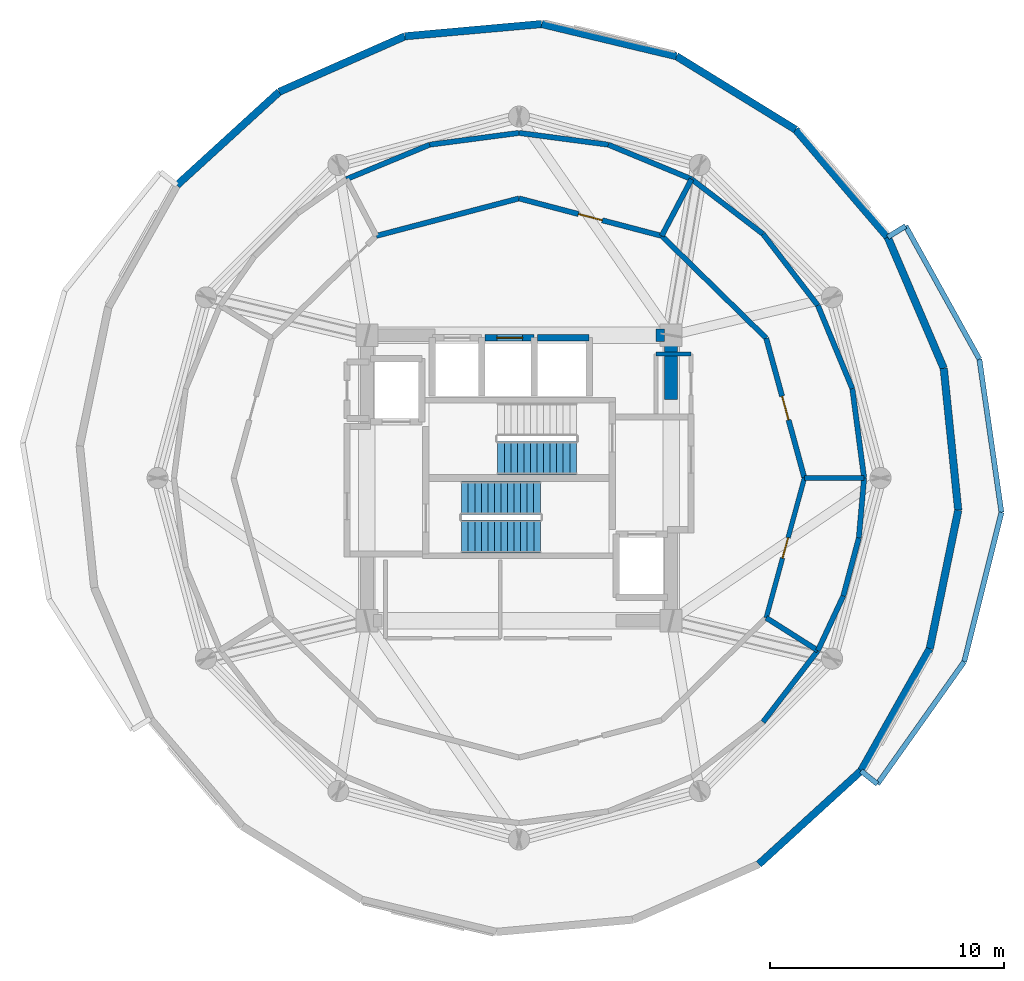
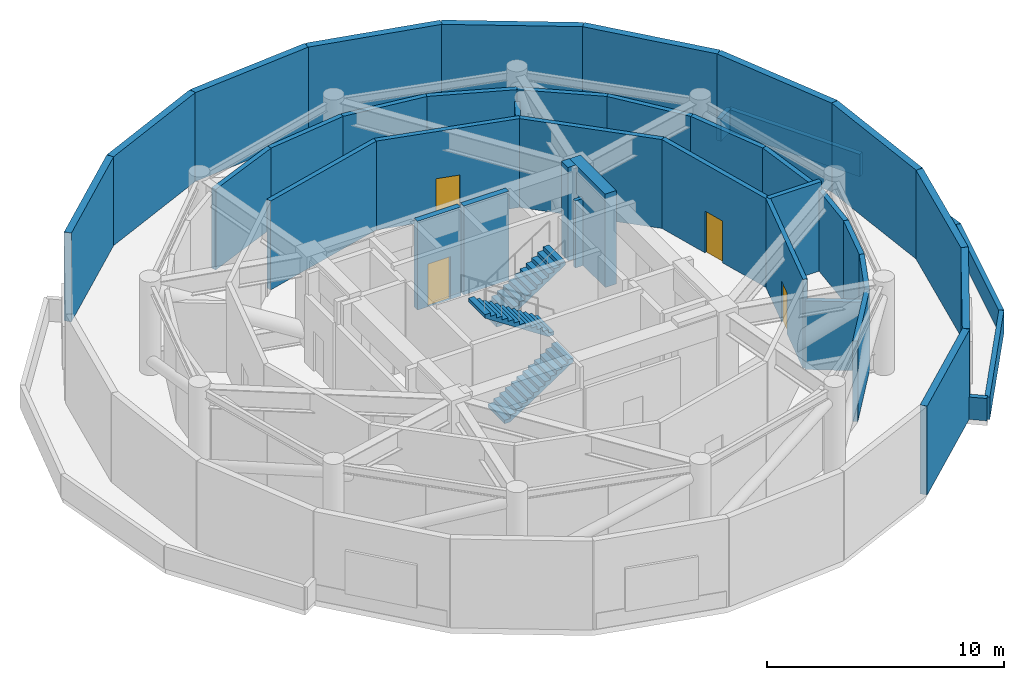
# One storey, part 4 of 7: 42 walls, 4 doors, 3 stair flights, 4 openings, 2 elements without a shape of their own.
"""IFC4 building model written with IfcOpenShell, lengths in metres."""

import ifcopenshell
import ifcopenshell.guid

model = None  # the IFC model being written
_history = None  # IfcOwnerHistory: only IFC2X3 demands one
_inside = {}  # id of a spatial element -> (the spatial element, [elements in it])
_under = {}  # id of a project, library or spatial element -> (it, [spatial elements below it])
_declared = {}  # id of a project -> (the project, [libraries it declares])
_typed = {}  # id of a type object -> (the type object, [elements of that type])
_made_of = {}  # id of a material, layer set ... -> (it, [elements and type objects made of it])


def new_model(schema):
    """Start an empty IFC model of exactly this schema.

    Asked for "IFC4X3", IfcOpenShell would pick the latest addendum, in which some entities
    have other attributes; the version numbers below select the first issue.
    IFC2X3 requires an IfcOwnerHistory on every rooted entity: one is made here for all.
    """
    global model, _history
    if schema == "IFC4X3":
        model = ifcopenshell.file(schema_version=(4, 3, 0, 0))
    else:
        model = ifcopenshell.file(schema=schema)
    _inside.clear()
    _under.clear()
    _declared.clear()
    _typed.clear()
    _made_of.clear()
    _history = None
    if model.schema == "IFC2X3":
        org = make("IfcOrganization", Name="unknown")
        user = make(
            "IfcPersonAndOrganization",
            ThePerson=make("IfcPerson", FamilyName="unknown"),
            TheOrganization=org,
        )
        app = make(
            "IfcApplication",
            ApplicationDeveloper=org,
            Version="unknown",
            ApplicationFullName="unknown",
            ApplicationIdentifier="unknown",
        )
        _history = make(
            "IfcOwnerHistory",
            OwningUser=user,
            OwningApplication=app,
            ChangeAction="ADDED",
            CreationDate=0,
        )
    return model


def make(cls, **values):
    """One entity of the class cls with the attributes given. An attribute that is None is left unset."""
    return model.create_entity(
        cls, **{name: value for name, value in values.items() if value is not None}
    )


def rooted(cls, **values):
    """An entity with a GlobalId (a new one), such as an element, a storey or a relation."""
    return make(cls, GlobalId=ifcopenshell.guid.new(), OwnerHistory=_history, **values)


def si_unit(unit_type, name, prefix=None):
    """IfcSIUnit, for example si_unit("LENGTHUNIT", "METRE", prefix="MILLI")."""
    return make("IfcSIUnit", UnitType=unit_type, Prefix=prefix, Name=name)


def assignment(units):
    """IfcUnitAssignment: the units of a project."""
    return None if units is None else make("IfcUnitAssignment", Units=units)


def point(xyz):
    """IfcCartesianPoint."""
    return None if xyz is None else make("IfcCartesianPoint", Coordinates=xyz)


def direction(xyz):
    """IfcDirection."""
    return None if xyz is None else make("IfcDirection", DirectionRatios=xyz)


def frame(location, z_axis=None, x_axis=None):
    """IfcAxis2Placement3D, a coordinate frame: its origin and axes. An axis left out is left unset."""
    return make(
        "IfcAxis2Placement3D",
        Location=point(location),
        Axis=direction(z_axis),
        RefDirection=direction(x_axis),
    )


def frame_2d(location, x_axis=None):
    """IfcAxis2Placement2D, a coordinate frame in the plane: its origin and x axis."""
    return make(
        "IfcAxis2Placement2D", Location=point(location), RefDirection=direction(x_axis)
    )


def origin():
    """The frame at (0, 0, 0) with its axes left unset."""
    return frame((0.0, 0.0, 0.0))


def place(relative_to, where):
    """IfcLocalPlacement: puts the frame where relative to a parent placement (None: the world)."""
    return make(
        "IfcLocalPlacement", PlacementRelTo=relative_to, RelativePlacement=where
    )


def context(
    kind, dimensions, precision=None, world=None, true_north=None, identifier=None
):
    """IfcGeometricRepresentationContext, for example the 3D "Model" context."""
    return make(
        "IfcGeometricRepresentationContext",
        ContextIdentifier=identifier,
        ContextType=kind,
        CoordinateSpaceDimension=dimensions,
        Precision=precision,
        WorldCoordinateSystem=world,
        TrueNorth=true_north,
    )


def subcontext(parent, identifier, kind, view, scale=None):
    """IfcGeometricRepresentationSubContext, for example "Body" below "Model"."""
    return make(
        "IfcGeometricRepresentationSubContext",
        ContextIdentifier=identifier,
        ContextType=kind,
        ParentContext=parent,
        TargetScale=scale,
        TargetView=view,
    )


def project(units=None, contexts=None):
    """IfcProject with its units and contexts."""
    return rooted(
        "IfcProject",
        Name="project",
        RepresentationContexts=contexts,
        UnitsInContext=assignment(units),
    )


def spatial(cls, under=None, at=None, **own):
    """A site, building, storey or space (cls), placed at a placement, below another one or the project."""
    s = rooted(cls, ObjectPlacement=at, **own)
    if under is not None:
        _under.setdefault(under.id(), (under, []))[1].append(s)
    return s


def polyline(points):
    """IfcPolyline through the points."""
    return make("IfcPolyline", Points=[point(p) for p in points])


def profile(cls, at=None, kind="AREA", **sizes):
    """A parametric profile (cls). Its sizes go by their IFC names, for example OverallWidth=200.0."""
    return make(cls, ProfileType=kind, Position=at, **sizes)


def rectangle(**sizes):
    """IfcRectangleProfileDef."""
    return profile("IfcRectangleProfileDef", **sizes)


def outline(outer, holes=None, kind="AREA"):
    """IfcArbitraryClosedProfileDef: a profile drawn as a closed curve; with holes, ...WithVoids."""
    if holes is None:
        return make("IfcArbitraryClosedProfileDef", ProfileType=kind, OuterCurve=outer)
    return make(
        "IfcArbitraryProfileDefWithVoids",
        ProfileType=kind,
        OuterCurve=outer,
        InnerCurves=holes,
    )


def extrude(swept, where, along, depth):
    """IfcExtrudedAreaSolid: the profile swept, set in the frame where, extruded along a direction by depth."""
    return make(
        "IfcExtrudedAreaSolid",
        SweptArea=swept,
        Position=where,
        ExtrudedDirection=direction(along),
        Depth=depth,
    )


def shape(context_of_items, identifier, shape_type, items):
    """IfcShapeRepresentation: the items that make up one representation, for example the "Body"."""
    return make(
        "IfcShapeRepresentation",
        ContextOfItems=context_of_items,
        RepresentationIdentifier=identifier,
        RepresentationType=shape_type,
        Items=items,
    )


def material(Name=None, Category=None):
    """IfcMaterial."""
    return make("IfcMaterial", Name=Name, Category=Category)


def layer(
    of_material, thickness, ventilated=None, Name=None, Category=None, Priority=None
):
    """IfcMaterialLayer: one layer of a wall or slab, of a material (None: an air gap)."""
    return make(
        "IfcMaterialLayer",
        Material=of_material,
        LayerThickness=thickness,
        IsVentilated=ventilated,
        Name=Name,
        Category=Category,
        Priority=Priority,
    )


def layer_set(layers, Name=None):
    """IfcMaterialLayerSet."""
    return make("IfcMaterialLayerSet", MaterialLayers=layers, LayerSetName=Name)


def made_of(thing, what):
    """Note that an element or type object is made of a material, layer set ...; save() writes the relation."""
    if what is not None:
        _made_of.setdefault(what.id(), (what, []))[1].append(thing)
    return thing


def type_object(cls, material=None, **own):
    """A type object (cls), such as IfcWallType, which elements share."""
    return made_of(rooted(cls, **own), material)


def element(
    cls,
    number,
    at=None,
    inside=None,
    cuts=None,
    type_object=None,
    material=None,
    context=None,
    identifier="Body",
    shape_type=None,
    held_by="IfcProductDefinitionShape",
    body=None,
    shapes=None,
    **own,
):
    """One element of the class cls, such as IfcWall. Its Tag is "e" and its number.

    at: its placement. inside: the storey or other place that contains it. cuts: it is an
    opening in that element (IfcRelVoidsElement). A single representation is given by context,
    identifier, shape_type and body (its items); several are given by shapes. held_by: the class
    of the entity that holds the representations. save() writes the other relations.
    """
    e = rooted(cls, Tag="e%d" % number, ObjectPlacement=at, **own)
    if body is not None:
        shapes = [shape(context, identifier, shape_type, body)]
    if shapes is not None:
        e.Representation = make(held_by, Representations=shapes)
    if inside is not None:
        _inside.setdefault(inside.id(), (inside, []))[1].append(e)
    if cuts is not None:
        rooted(
            "IfcRelVoidsElement", RelatingBuildingElement=cuts, RelatedOpeningElement=e
        )
    if type_object is not None:
        _typed.setdefault(type_object.id(), (type_object, []))[1].append(e)
    return made_of(e, material)


def fill(opening, filler):
    """IfcRelFillsElement: the door or window that sits in an opening."""
    return rooted(
        "IfcRelFillsElement",
        RelatingOpeningElement=opening,
        RelatedBuildingElement=filler,
    )


def aggregate(whole, parts):
    """IfcRelAggregates: a whole, such as a stair, and the parts it consists of."""
    return rooted("IfcRelAggregates", RelatingObject=whole, RelatedObjects=parts)


def save(model, path):
    """Write the relations noted so far, then the file.

    IfcRelAggregates (storeys below a building ...), IfcRelContainedInSpatialStructure (elements
    in a storey), IfcRelDefinesByType, IfcRelAssociatesMaterial and IfcRelDeclares: one each for
    every whole, place, type object, material and project.
    """
    for whole, parts in _under.values():
        aggregate(whole, parts)
    for where, things in _inside.values():
        rooted(
            "IfcRelContainedInSpatialStructure",
            RelatedElements=things,
            RelatingStructure=where,
        )
    for kind, things in _typed.values():
        rooted("IfcRelDefinesByType", RelatedObjects=things, RelatingType=kind)
    for what, things in _made_of.values():
        rooted("IfcRelAssociatesMaterial", RelatedObjects=things, RelatingMaterial=what)
    for by, libraries in _declared.values():
        rooted("IfcRelDeclares", RelatingContext=by, RelatedDefinitions=libraries)
    model.write(path)


model = new_model("IFC4")

# Units and contexts
model_context = context("Model", 3, precision=1e-05, world=origin(), true_north=direction((0.0, 1.0)))
body_context = subcontext(model_context, "Body", "Model", "MODEL_VIEW")
ifc_project = project(units=[si_unit("LENGTHUNIT", "METRE"), si_unit("AREAUNIT", "SQUARE_METRE"), si_unit("VOLUMEUNIT", "CUBIC_METRE"), si_unit("PLANEANGLEUNIT", "RADIAN"), si_unit("MASSUNIT", "GRAM", prefix="KILO")], contexts=[model_context])

# Site, building, storey
site_placement = place(None, origin())
site = spatial("IfcSite", under=ifc_project, at=site_placement, CompositionType="ELEMENT")
building_placement = place(site_placement, origin())
building = spatial("IfcBuilding", under=site, at=building_placement, Name="Solvirekh Grand Hotel", CompositionType="ELEMENT")
storey_placement = place(building_placement, frame((0.0, 0.0, 234.39990234375)))
storey = spatial("IfcBuildingStorey", under=building, at=storey_placement, Name="L61", CompositionType="ELEMENT", Elevation=234.39990234375)

# Wall, opening, door
ifc_material_1 = material(Name="Concrete C40/50", Category="concrete")
ifc_layer_1 = layer(ifc_material_1, 0.280029296875)
ifc_layer_set_1 = layer_set([ifc_layer_1], Name="Concrete C40/50")
wall_type_1 = type_object("IfcWallType", Name="CoreShaftWall_RC280", PredefinedType="SOLIDWALL", material=ifc_layer_set_1)
wall_1_placement = place(storey_placement, frame((0.64990234375, 6.0, 0.0), z_axis=(0.0, 0.0, 1.0), x_axis=(-1.0, 0.0, 0.0)))
wall_1 = element("IfcWall", 1, at=wall_1_placement, inside=storey, type_object=wall_type_1, Name="L61 HP-2 hoistway N wall", PredefinedType="SOLIDWALL", context=body_context, shape_type="SweptSolid", body=[
    extrude(rectangle(XDim=2.099853515625, YDim=0.280029296875, at=frame_2d((1.0498046875, 0.0))), origin(), (0.0, 0.0, 1.0), 4.570068359375),
])
opening_1_placement = place(wall_1_placement, frame((0.5, 0.0, 0.0)))
opening_1 = element("IfcOpeningElement", 2, at=opening_1_placement, cuts=wall_1, Name="Opening LD01", PredefinedType="OPENING", context=body_context, shape_type="SweptSolid", body=[
    extrude(rectangle(XDim=1.10009765625, YDim=2.199951171875, at=frame_2d((0.550048828125, 1.10009765625))), frame((0.0, 0.14990234375, 0.0), z_axis=(0.0, -1.0, 0.0), x_axis=(1.0, 0.0, 0.0)), (0.0, 0.0, 1.0), 0.300048828125),
])
ifc_material_2 = material(Name="Fire-Rated Steel Door Assembly", Category="steel")
door_type_1 = type_object("IfcDoorType", Name="Door_LiftLanding_1100X2200", OperationType="SLIDING_TO_LEFT", PredefinedType="DOOR", material=ifc_material_2)
door_1_placement = place(opening_1_placement, origin())
door_1 = element("IfcDoor", 3, at=door_1_placement, inside=storey, type_object=door_type_1, Name="L61 HP-2 sliding lift landing door", OperationType="SLIDING_TO_LEFT", OverallHeight=2.199951171875, OverallWidth=1.10009765625, PredefinedType="DOOR", context=body_context, shape_type="SweptSolid", body=[
    extrude(rectangle(XDim=1.10009765625, YDim=2.199951171875, at=frame_2d((0.550048828125, 1.10009765625))), frame((0.0, 0.02490234375, 0.0), z_axis=(0.0, -1.0, 0.0), x_axis=(1.0, 0.0, 0.0)), (0.0, 0.0, 1.0), 0.050048828125),
])
fill(opening_1, door_1)

# Walls
wall_2_placement = place(storey_placement, frame((3.0, 6.0, 0.0), z_axis=(0.0, 0.0, 1.0), x_axis=(-1.0, 0.0, 0.0)))
element("IfcWall", 4, at=wall_2_placement, inside=storey, type_object=wall_type_1, Name="L61 EX-1 hoistway N wall", PredefinedType="SOLIDWALL", context=body_context, shape_type="SweptSolid", body=[
    extrude(rectangle(XDim=2.199951171875, YDim=0.280029296875, at=frame_2d((1.10009765625, 0.0))), origin(), (0.0, 0.0, 1.0), 4.570068359375),
])
ifc_material_3 = material(Name="Concrete C50/60", Category="concrete")
ifc_layer_2 = layer(ifc_material_3, 0.550048828125)
ifc_layer_set_2 = layer_set([ifc_layer_2], Name="Concrete C50/60")
wall_type_2 = type_object("IfcWallType", Name="CoreWall_RC550", PredefinedType="SHEAR", material=ifc_layer_set_2)
wall_3_placement = place(storey_placement, frame((5.85009765625, 6.10009765625, 0.0), z_axis=(0.0, 0.0, 1.0), x_axis=(1.0, 0.0, 0.0)))
element("IfcWall", 5, at=wall_3_placement, inside=storey, type_object=wall_type_2, Name="L61 core corner shear wall NE-N", PredefinedType="SHEAR", context=body_context, shape_type="SweptSolid", body=[
    extrude(rectangle(XDim=0.375, YDim=0.550048828125, at=frame_2d((0.1875, 0.0))), origin(), (0.0, 0.0, 1.0), 4.800048828125),
])
wall_4_placement = place(storey_placement, frame((6.5, 3.35009765625, 0.0), z_axis=(0.0, 0.0, 1.0), x_axis=(0.0, 1.0, 0.0)))
element("IfcWall", 6, at=wall_4_placement, inside=storey, type_object=wall_type_2, Name="L61 core corner shear wall EN-E", PredefinedType="SHEAR", context=body_context, shape_type="SweptSolid", body=[
    extrude(rectangle(XDim=3.02490234375, YDim=0.550048828125, at=frame_2d((1.512451171875, 0.0))), origin(), (0.0, 0.0, 1.0), 4.800048828125),
])
ifc_material_4 = material(Name="Precast concrete C45/55", Category="concrete")
ifc_layer_3 = layer(ifc_material_4, 0.320068359375)
ifc_layer_set_3 = layer_set([ifc_layer_3], Name="Precast concrete C45/55")
wall_type_3 = type_object("IfcWallType", Name="ExtLobbyWall_RC320", PredefinedType="SOLIDWALL", material=ifc_layer_set_3)
wall_5_placement = place(storey_placement, frame((14.615966796875, -12.51904296875, 0.0), z_axis=(0.0, 0.0, 1.0), x_axis=(-0.738483707081, -0.674271321039, 0.0)))
element("IfcWall", 7, at=wall_5_placement, inside=storey, type_object=wall_type_3, Name="L61 exterior structural wall chord 2", PredefinedType="SOLIDWALL", context=body_context, shape_type="SweptSolid", body=[
    extrude(rectangle(XDim=5.916015625, YDim=0.320068359375, at=frame_2d((2.9580078125, 0.0))), origin(), (0.0, 0.0, 1.0), 4.570068359375),
])
wall_6_placement = place(storey_placement, frame((17.552978515625, -7.304931640625, 0.0), z_axis=(0.0, 0.0, 1.0), x_axis=(-0.490778308743, -0.871284483775, 0.0)))
element("IfcWall", 8, at=wall_6_placement, inside=storey, type_object=wall_type_3, Name="L61 exterior structural wall chord 3", PredefinedType="SOLIDWALL", context=body_context, shape_type="SweptSolid", body=[
    extrude(rectangle(XDim=5.984375, YDim=0.320068359375, at=frame_2d((2.9921875, 0.0))), origin(), (0.0, 0.0, 1.0), 4.570068359375),
])
wall_7_placement = place(storey_placement, frame((18.77294921875, -1.3759765625, 0.0), z_axis=(0.0, 0.0, 1.0), x_axis=(-0.201542531619, -0.97947976393, 0.0)))
element("IfcWall", 9, at=wall_7_placement, inside=storey, type_object=wall_type_3, Name="L61 exterior structural wall chord 4", PredefinedType="SOLIDWALL", context=body_context, shape_type="SweptSolid", body=[
    extrude(rectangle(XDim=6.05322265625, YDim=0.320068359375, at=frame_2d((3.026611328125, 0.0))), origin(), (0.0, 0.0, 1.0), 4.570068359375),
])
wall_8_placement = place(storey_placement, frame((18.154052734375, 4.68798828125, 0.0), z_axis=(0.0, 0.0, 1.0), x_axis=(0.101533912523, -0.994832078598, 0.0)))
element("IfcWall", 10, at=wall_8_placement, inside=storey, type_object=wall_type_3, Name="L61 exterior structural wall chord 5", PredefinedType="SOLIDWALL", context=body_context, shape_type="SweptSolid", body=[
    extrude(rectangle(XDim=6.095458984375, YDim=0.320068359375, at=frame_2d((3.0478515625, 0.0))), origin(), (0.0, 0.0, 1.0), 4.570068359375),
])
wall_9_placement = place(storey_placement, frame((15.759033203125, 10.29296875, 0.0), z_axis=(0.0, 0.0, 1.0), x_axis=(0.392932906798, -0.919567143147, 0.0)))
element("IfcWall", 11, at=wall_9_placement, inside=storey, type_object=wall_type_3, Name="L61 exterior structural wall chord 6", PredefinedType="SOLIDWALL", context=body_context, shape_type="SweptSolid", body=[
    extrude(rectangle(XDim=6.09521484375, YDim=0.320068359375, at=frame_2d((3.047607421875, 0.0))), origin(), (0.0, 0.0, 1.0), 4.570068359375),
])
wall_10_placement = place(storey_placement, frame((11.821044921875, 14.89111328125, 0.0), z_axis=(0.0, 0.0, 1.0), x_axis=(0.650479137801, -0.759524121596, 0.0)))
element("IfcWall", 12, at=wall_10_placement, inside=storey, type_object=wall_type_3, Name="L61 exterior structural wall chord 7", PredefinedType="SOLIDWALL", context=body_context, shape_type="SweptSolid", body=[
    extrude(rectangle(XDim=6.053955078125, YDim=0.320068359375, at=frame_2d((3.02685546875, 0.0))), origin(), (0.0, 0.0, 1.0), 4.570068359375),
])
wall_11_placement = place(storey_placement, frame((6.72607421875, 18.030029296875, 0.0), z_axis=(0.0, 0.0, 1.0), x_axis=(0.851393465012, -0.52452756623, 0.0)))
element("IfcWall", 13, at=wall_11_placement, inside=storey, type_object=wall_type_3, Name="L61 exterior structural wall chord 8", PredefinedType="SOLIDWALL", context=body_context, shape_type="SweptSolid", body=[
    extrude(rectangle(XDim=5.984375, YDim=0.320068359375, at=frame_2d((2.9921875, 0.0))), origin(), (0.0, 0.0, 1.0), 4.570068359375),
])
wall_12_placement = place(storey_placement, frame((0.972900390625, 19.405029296875, 0.0), z_axis=(0.0, 0.0, 1.0), x_axis=(0.972607906466, -0.232451845076, 0.0)))
element("IfcWall", 14, at=wall_12_placement, inside=storey, type_object=wall_type_3, Name="L61 exterior structural wall chord 9", PredefinedType="SOLIDWALL", context=body_context, shape_type="SweptSolid", body=[
    extrude(rectangle(XDim=5.915283203125, YDim=0.320068359375, at=frame_2d((2.95751953125, 0.0))), origin(), (0.0, 0.0, 1.0), 4.570068359375),
])
wall_13_placement = place(storey_placement, frame((-4.8759765625, 18.881103515625, 0.0), z_axis=(0.0, 0.0, 1.0), x_axis=(0.996011950585, 0.08921992094, 0.0)))
element("IfcWall", 15, at=wall_13_placement, inside=storey, type_object=wall_type_3, Name="L61 exterior structural wall chord 10", PredefinedType="SOLIDWALL", context=body_context, shape_type="SweptSolid", body=[
    extrude(rectangle(XDim=5.872314453125, YDim=0.320068359375, at=frame_2d((2.93603515625, 0.0))), origin(), (0.0, 0.0, 1.0), 4.570068359375),
])
wall_14_placement = place(storey_placement, frame((-10.2470703125, 16.508056640625, 0.0), z_axis=(0.0, 0.0, 1.0), x_axis=(0.914700901603, 0.404131489254, 0.0)))
element("IfcWall", 16, at=wall_14_placement, inside=storey, type_object=wall_type_3, Name="L61 exterior structural wall chord 11", PredefinedType="SOLIDWALL", context=body_context, shape_type="SweptSolid", body=[
    extrude(rectangle(XDim=5.8720703125, YDim=0.320068359375, at=frame_2d((2.93603515625, 0.0))), origin(), (0.0, 0.0, 1.0), 4.570068359375),
])
wall_15_placement = place(storey_placement, frame((-14.615966796875, 12.51904296875, 0.0), z_axis=(0.0, 0.0, 1.0), x_axis=(0.738483707081, 0.674271321039, 0.0)))
element("IfcWall", 17, at=wall_15_placement, inside=storey, type_object=wall_type_3, Name="L61 exterior structural wall chord 12", PredefinedType="SOLIDWALL", context=body_context, shape_type="SweptSolid", body=[
    extrude(rectangle(XDim=5.916015625, YDim=0.320068359375, at=frame_2d((2.9580078125, 0.0))), origin(), (0.0, 0.0, 1.0), 4.570068359375),
])
ifc_layer_4 = layer(ifc_material_4, 0.219970703125)
ifc_layer_set_4 = layer_set([ifc_layer_4], Name="Precast concrete C45/55")
wall_type_4 = type_object("IfcWallType", Name="ExtParapet_RC220", PredefinedType="PARAPET", material=ifc_layer_set_4)
wall_16_placement = place(storey_placement, frame((14.615966796875, -12.51904296875, 0.0), z_axis=(0.0, 0.0, 1.0), x_axis=(0.782613072671, -0.622508456556, 0.0)))
element("IfcWall", 18, at=wall_16_placement, inside=storey, type_object=wall_type_4, Name="L61 mechanical setback parapet rcap 1", PredefinedType="PARAPET", context=body_context, shape_type="SweptSolid", body=[
    extrude(rectangle(XDim=0.899658203125, YDim=0.219970703125, at=frame_2d((0.44970703125, 0.0))), origin(), (0.0, 0.0, 1.0), 1.150146484375),
])
wall_17_placement = place(storey_placement, frame((15.320068359375, -13.0791015625, 0.0), z_axis=(0.0, 0.0, 1.0), x_axis=(0.578505778905, 0.815678284481, 0.0)))
element("IfcWall", 19, at=wall_17_placement, inside=storey, type_object=wall_type_4, Name="L61 mechanical setback parapet rcap 2", PredefinedType="PARAPET", context=body_context, shape_type="SweptSolid", body=[
    extrude(rectangle(XDim=6.40576171875, YDim=0.219970703125, at=frame_2d((3.202880859375, 0.0))), origin(), (0.0, 0.0, 1.0), 1.150146484375),
])
wall_18_placement = place(storey_placement, frame((19.02587890625, -7.85400390625, 0.0), z_axis=(0.0, 0.0, 1.0), x_axis=(0.242212690438, 0.970223176692, 0.0)))
element("IfcWall", 20, at=wall_18_placement, inside=storey, type_object=wall_type_4, Name="L61 mechanical setback parapet rcap 3", PredefinedType="PARAPET", context=body_context, shape_type="SweptSolid", body=[
    extrude(rectangle(XDim=6.58203125, YDim=0.219970703125, at=frame_2d((3.291015625, 0.0))), origin(), (0.0, 0.0, 1.0), 1.150146484375),
])
wall_19_placement = place(storey_placement, frame((20.6201171875, -1.468017578125, 0.0), z_axis=(0.0, 0.0, 1.0), x_axis=(-0.142681651546, 0.989768632718, 0.0)))
element("IfcWall", 21, at=wall_19_placement, inside=storey, type_object=wall_type_4, Name="L61 mechanical setback parapet rcap 4", PredefinedType="PARAPET", context=body_context, shape_type="SweptSolid", body=[
    extrude(rectangle(XDim=6.61669921875, YDim=0.219970703125, at=frame_2d((3.308349609375, 0.0))), origin(), (0.0, 0.0, 1.0), 1.150146484375),
])
wall_20_placement = place(storey_placement, frame((19.676025390625, 5.0810546875, 0.0), z_axis=(0.0, 0.0, 1.0), x_axis=(-0.48477874198, 0.874636822529, 0.0)))
element("IfcWall", 22, at=wall_20_placement, inside=storey, type_object=wall_type_4, Name="L61 mechanical setback parapet rcap 5", PredefinedType="PARAPET", context=body_context, shape_type="SweptSolid", body=[
    extrude(rectangle(XDim=6.502197265625, YDim=0.219970703125, at=frame_2d((3.2509765625, 0.0))), origin(), (0.0, 0.0, 1.0), 1.150146484375),
])
wall_21_placement = place(storey_placement, frame((16.52392578125, 10.76806640625, 0.0), z_axis=(0.0, 0.0, 1.0), x_axis=(-0.849472553592, -0.527632808583, 0.0)))
element("IfcWall", 23, at=wall_21_placement, inside=storey, type_object=wall_type_4, Name="L61 mechanical setback parapet rcap 6", PredefinedType="PARAPET", context=body_context, shape_type="SweptSolid", body=[
    extrude(rectangle(XDim=0.900390625, YDim=0.219970703125, at=frame_2d((0.4501953125, 0.0))), origin(), (0.0, 0.0, 1.0), 1.150146484375),
])
ifc_material_5 = material(Name="Acoustic Gypsum Partition Assembly")
ifc_layer_5 = layer(ifc_material_5, 0.1650390625)
ifc_layer_set_5 = layer_set([ifc_layer_5], Name="Acoustic Gypsum Partition Assembly")
wall_type_5 = type_object("IfcWallType", Name="Part_BOH_165", PredefinedType="PARTITIONING", material=ifc_layer_set_5)
wall_22_placement = place(storey_placement, frame((7.35009765625, 5.300048828125, 0.0), z_axis=(0.0, 0.0, 1.0), x_axis=(-1.0, 0.0, 0.0)))
element("IfcWall", 24, at=wall_22_placement, inside=storey, type_object=wall_type_5, Name="L61 L61 Core Housekeeping & Linen Room wall 3", PredefinedType="PARTITIONING", context=body_context, shape_type="SweptSolid", body=[
    extrude(rectangle(XDim=1.5, YDim=0.1650390625, at=frame_2d((0.75, 0.0))), origin(), (0.0, 0.0, 1.0), 3.455078125),
])
ifc_layer_6 = layer(ifc_material_4, 0.22509765625)
ifc_layer_set_6 = layer_set([ifc_layer_6], Name="Precast concrete C45/55")
wall_type_6 = type_object("IfcWallType", Name="Part_Plant_225", PredefinedType="PARTITIONING", material=ifc_layer_set_6)
wall_23_placement = place(storey_placement, frame((12.199951171875, 0.0, 0.0), z_axis=(0.0, 0.0, 1.0), x_axis=(1.0, 0.0, 0.0)))
element("IfcWall", 25, at=wall_23_placement, inside=storey, type_object=wall_type_6, Name="L61 radial demising wall 1", PredefinedType="PARTITIONING", context=body_context, shape_type="SweptSolid", body=[
    extrude(rectangle(XDim=2.550048828125, YDim=0.22509765625, at=frame_2d((1.27490234375, 0.0))), origin(), (0.0, 0.0, 1.0), 4.570068359375),
])
wall_24_placement = place(storey_placement, frame((6.10009765625, 10.34912109375, 0.0), z_axis=(0.0, 0.0, 1.0), x_axis=(0.465371749497, 0.885115322865, 0.0)))
element("IfcWall", 26, at=wall_24_placement, inside=storey, type_object=wall_type_6, Name="L61 radial demising wall 3", PredefinedType="PARTITIONING", context=body_context, shape_type="SweptSolid", body=[
    extrude(rectangle(XDim=2.739501953125, YDim=0.22509765625, at=frame_2d((1.36962890625, 0.0))), origin(), (0.0, 0.0, 1.0), 3.533203125),
])
wall_25_placement = place(storey_placement, frame((10.56591796875, -5.97509765625, 0.0), z_axis=(0.0, 0.0, 1.0), x_axis=(0.844560080063, -0.53546080264, 0.0)))
element("IfcWall", 27, at=wall_25_placement, inside=storey, type_object=wall_type_6, Name="L61 radial demising wall 12", PredefinedType="PARTITIONING", context=body_context, shape_type="SweptSolid", body=[
    extrude(rectangle(XDim=2.614501953125, YDim=0.22509765625, at=frame_2d((1.30712890625, 0.0))), origin(), (0.0, 0.0, 1.0), 3.533203125),
])

# Wall, opening, door
wall_26_placement = place(storey_placement, frame((12.199951171875, 0.0, 0.0), z_axis=(0.0, 0.0, 1.0), x_axis=(-0.263787657435, 0.964580775148, 0.0)))
wall_26 = element("IfcWall", 28, at=wall_26_placement, inside=storey, type_object=wall_type_6, Name="L61 East Air-Handling Plant Room corridor wall", PredefinedType="PARTITIONING", context=body_context, shape_type="SweptSolid", body=[
    extrude(rectangle(XDim=6.194580078125, YDim=0.22509765625, at=frame_2d((3.09716796875, 0.0))), origin(), (0.0, 0.0, 1.0), 4.570068359375),
])
opening_2_placement = place(wall_26_placement, frame((2.572021484375, 0.0, 0.0)))
opening_2 = element("IfcOpeningElement", 29, at=opening_2_placement, cuts=wall_26, Name="Opening D12", PredefinedType="OPENING", context=body_context, shape_type="SweptSolid", body=[
    extrude(rectangle(XDim=1.050048828125, YDim=2.14990234375, at=frame_2d((0.52490234375, 1.074951171875))), frame((0.0, 0.12255859375, 0.0), z_axis=(0.0, -1.0, 0.0), x_axis=(1.0, 0.0, 0.0)), (0.0, 0.0, 1.0), 0.2451171875),
])
door_type_2 = type_object("IfcDoorType", Name="Door_PlantBOH_1050X2150", OperationType="NOTDEFINED", PredefinedType="DOOR", material=ifc_material_2)
door_2_placement = place(opening_2_placement, origin())
door_2 = element("IfcDoor", 30, at=door_2_placement, inside=storey, type_object=door_type_2, Name="L61 East Air-Handling Plant Room entrance door", OperationType="SINGLE_SWING_RIGHT", OverallHeight=2.14990234375, OverallWidth=1.050048828125, PredefinedType="DOOR", context=body_context, shape_type="SweptSolid", body=[
    extrude(rectangle(XDim=1.050048828125, YDim=2.14990234375, at=frame_2d((0.52490234375, 1.074951171875))), frame((0.0, 0.02490234375, 0.0), z_axis=(0.0, -1.0, 0.0), x_axis=(1.0, 0.0, 0.0)), (0.0, 0.0, 1.0), 0.050048828125),
])
fill(opening_2, door_2)

# Walls
wall_27_placement = place(storey_placement, frame((10.56591796875, 5.97509765625, 0.0), z_axis=(0.0, 0.0, 1.0), x_axis=(-0.714411174131, 0.699726142342, 0.0)))
element("IfcWall", 31, at=wall_27_placement, inside=storey, type_object=wall_type_6, Name="L61 East Air-Handling Plant Room corridor wall 2", PredefinedType="PARTITIONING", context=body_context, shape_type="SweptSolid", body=[
    extrude(rectangle(XDim=6.2509765625, YDim=0.22509765625, at=frame_2d((3.12548828125, 0.0))), origin(), (0.0, 0.0, 1.0), 4.570068359375),
])
wall_28_placement = place(storey_placement, frame((14.75, 0.0, 0.0), z_axis=(0.0, 0.0, 1.0), x_axis=(-0.130593902819, 0.991435944752, 0.0)))
element("IfcWall", 32, at=wall_28_placement, inside=storey, type_object=wall_type_6, Name="L61 East Air-Handling Plant Room perimeter acoustic baffle wall 1", PredefinedType="PARTITIONING", context=body_context, shape_type="SweptSolid", body=[
    extrude(rectangle(XDim=3.85107421875, YDim=0.22509765625, at=frame_2d((1.925537109375, 0.0))), origin(), (0.0, 0.0, 1.0), 4.13916015625),
])
wall_29_placement = place(storey_placement, frame((14.2470703125, 3.818115234375, 0.0), z_axis=(0.0, 0.0, 1.0), x_axis=(-0.382646766164, 0.923894719297, 0.0)))
element("IfcWall", 33, at=wall_29_placement, inside=storey, type_object=wall_type_6, Name="L61 East Air-Handling Plant Room perimeter acoustic baffle wall 2", PredefinedType="PARTITIONING", context=body_context, shape_type="SweptSolid", body=[
    extrude(rectangle(XDim=3.849853515625, YDim=0.22509765625, at=frame_2d((1.9248046875, 0.0))), origin(), (0.0, 0.0, 1.0), 4.13916015625),
])
for number, where, z_axis, x_axis, name in (
    (34, (12.77392578125, 7.375, 0.0), (0.0, 0.0, 1.0), (-0.608738977122, 0.793370567725, 0.0), "L61 East Air-Handling Plant Room perimeter acoustic baffle wall 3"),
    (35, (10.429931640625, 10.429931640625, 0.0), (0.0, 0.0, 1.0), (-0.793370567725, 0.608738977122, 0.0), "L61 East Air-Handling Plant Room perimeter acoustic baffle wall 4"),
):
    element("IfcWall", number, at=place(storey_placement, frame(where, z_axis=z_axis, x_axis=x_axis)), inside=storey, type_object=wall_type_6, Name=name, PredefinedType="PARTITIONING", context=body_context, shape_type="SweptSolid", body=[
        extrude(rectangle(XDim=3.8505859375, YDim=0.22509765625, at=frame_2d((1.92529296875, 0.0))), origin(), (0.0, 0.0, 1.0), 4.13916015625),
    ])

# Wall, opening, door
wall_30_placement = place(storey_placement, frame((6.10009765625, 10.34912109375, 0.0), z_axis=(0.0, 0.0, 1.0), x_axis=(-0.967248312895, 0.253832033445, 0.0)))
wall_30 = element("IfcWall", 36, at=wall_30_placement, inside=storey, type_object=wall_type_6, Name="L61 North Heat-Recovery Plant Room corridor wall", PredefinedType="PARTITIONING", context=body_context, shape_type="SweptSolid", body=[
    extrude(rectangle(XDim=6.306640625, YDim=0.22509765625, at=frame_2d((3.1533203125, 0.0))), origin(), (0.0, 0.0, 1.0), 4.570068359375),
])
opening_3_placement = place(wall_30_placement, frame((2.6279296875, 0.0, 0.0)))
opening_3 = element("IfcOpeningElement", 37, at=opening_3_placement, cuts=wall_30, Name="Opening D12", PredefinedType="OPENING", context=body_context, shape_type="SweptSolid", body=[
    extrude(rectangle(XDim=1.050048828125, YDim=2.14990234375, at=frame_2d((0.52490234375, 1.074951171875))), frame((0.0, 0.12255859375, 0.0), z_axis=(0.0, -1.0, 0.0), x_axis=(1.0, 0.0, 0.0)), (0.0, 0.0, 1.0), 0.2451171875),
])
door_3_placement = place(opening_3_placement, origin())
door_3 = element("IfcDoor", 38, at=door_3_placement, inside=storey, type_object=door_type_2, Name="L61 North Heat-Recovery Plant Room entrance door", OperationType="SINGLE_SWING_LEFT", OverallHeight=2.14990234375, OverallWidth=1.050048828125, PredefinedType="DOOR", context=body_context, shape_type="SweptSolid", body=[
    extrude(rectangle(XDim=1.050048828125, YDim=2.14990234375, at=frame_2d((0.52490234375, 1.074951171875))), frame((0.0, 0.02490234375, 0.0), z_axis=(0.0, -1.0, 0.0), x_axis=(1.0, 0.0, 0.0)), (0.0, 0.0, 1.0), 0.050048828125),
])
fill(opening_3, door_3)

# Walls
wall_31_placement = place(storey_placement, frame((0.0, 11.949951171875, 0.0), z_axis=(0.0, 0.0, 1.0), x_axis=(-0.967248312895, -0.253832033445, 0.0)))
element("IfcWall", 39, at=wall_31_placement, inside=storey, type_object=wall_type_6, Name="L61 North Heat-Recovery Plant Room corridor wall 2", PredefinedType="PARTITIONING", context=body_context, shape_type="SweptSolid", body=[
    extrude(rectangle(XDim=6.306640625, YDim=0.22509765625, at=frame_2d((3.1533203125, 0.0))), origin(), (0.0, 0.0, 1.0), 4.570068359375),
])
wall_32_placement = place(storey_placement, frame((7.375, 12.77392578125, 0.0), z_axis=(0.0, 0.0, 1.0), x_axis=(-0.923894719297, 0.382646766164, 0.0)))
element("IfcWall", 40, at=wall_32_placement, inside=storey, type_object=wall_type_6, Name="L61 North Heat-Recovery Plant Room perimeter acoustic baffle wall 1", PredefinedType="PARTITIONING", context=body_context, shape_type="SweptSolid", body=[
    extrude(rectangle(XDim=3.849853515625, YDim=0.22509765625, at=frame_2d((1.9248046875, 0.0))), origin(), (0.0, 0.0, 1.0), 4.13916015625),
])
for number, where, z_axis, x_axis, name in (
    (41, (3.818115234375, 14.2470703125, 0.0), (0.0, 0.0, 1.0), (-0.991435944752, 0.130593902819, 0.0), "L61 North Heat-Recovery Plant Room perimeter acoustic baffle wall 2"),
    (42, (0.0, 14.75, 0.0), (0.0, 0.0, 1.0), (-0.991435944752, -0.130593902819, 0.0), "L61 North Heat-Recovery Plant Room perimeter acoustic baffle wall 3"),
):
    element("IfcWall", number, at=place(storey_placement, frame(where, z_axis=z_axis, x_axis=x_axis)), inside=storey, type_object=wall_type_6, Name=name, PredefinedType="PARTITIONING", context=body_context, shape_type="SweptSolid", body=[
        extrude(rectangle(XDim=3.85107421875, YDim=0.22509765625, at=frame_2d((1.925537109375, 0.0))), origin(), (0.0, 0.0, 1.0), 4.13916015625),
    ])
wall_33_placement = place(storey_placement, frame((-3.818115234375, 14.2470703125, 0.0), z_axis=(0.0, 0.0, 1.0), x_axis=(-0.923894719297, -0.382646766164, 0.0)))
element("IfcWall", 43, at=wall_33_placement, inside=storey, type_object=wall_type_6, Name="L61 North Heat-Recovery Plant Room perimeter acoustic baffle wall 4", PredefinedType="PARTITIONING", context=body_context, shape_type="SweptSolid", body=[
    extrude(rectangle(XDim=3.849853515625, YDim=0.22509765625, at=frame_2d((1.9248046875, 0.0))), origin(), (0.0, 0.0, 1.0), 4.13916015625),
])
wall_34_placement = place(storey_placement, frame((10.429931640625, -10.429931640625, 0.0), z_axis=(0.0, 0.0, 1.0), x_axis=(0.608738977122, 0.793370567725, 0.0)))
element("IfcWall", 44, at=wall_34_placement, inside=storey, type_object=wall_type_6, Name="L61 Pressurized Occupant Refuge Area perimeter acoustic baffle wall 8", PredefinedType="PARTITIONING", context=body_context, shape_type="SweptSolid", body=[
    extrude(rectangle(XDim=3.8505859375, YDim=0.22509765625, at=frame_2d((1.92529296875, 0.0))), origin(), (0.0, 0.0, 1.0), 4.13916015625),
])
wall_35_placement = place(storey_placement, frame((12.77392578125, -7.375, 0.0), z_axis=(0.0, 0.0, 1.0), x_axis=(0.422505908881, 0.906360169558, 0.0)))
element("IfcWall", 45, at=wall_35_placement, inside=storey, type_object=wall_type_6, Name="L61 Refuge Public & Accessible Restrooms perimeter acoustic baffle wall 1", PredefinedType="PARTITIONING", context=body_context, shape_type="SweptSolid", body=[
    extrude(rectangle(XDim=2.57080078125, YDim=0.22509765625, at=frame_2d((1.285400390625, 0.0))), origin(), (0.0, 0.0, 1.0), 4.13916015625),
])
wall_36_placement = place(storey_placement, frame((13.860107421875, -5.044921875, 0.0), z_axis=(0.0, 0.0, 1.0), x_axis=(0.258897429132, 0.965904819943, 0.0)))
element("IfcWall", 46, at=wall_36_placement, inside=storey, type_object=wall_type_6, Name="L61 Refuge Public & Accessible Restrooms perimeter acoustic baffle wall 2", PredefinedType="PARTITIONING", context=body_context, shape_type="SweptSolid", body=[
    extrude(rectangle(XDim=2.571533203125, YDim=0.22509765625, at=frame_2d((1.28564453125, 0.0))), origin(), (0.0, 0.0, 1.0), 4.13916015625),
])
wall_37_placement = place(storey_placement, frame((14.52587890625, -2.56103515625, 0.0), z_axis=(0.0, 0.0, 1.0), x_axis=(0.087178730822, 0.996192686629, 0.0)))
element("IfcWall", 47, at=wall_37_placement, inside=storey, type_object=wall_type_6, Name="L61 Refuge Public & Accessible Restrooms perimeter acoustic baffle wall 3", PredefinedType="PARTITIONING", context=body_context, shape_type="SweptSolid", body=[
    extrude(rectangle(XDim=2.57080078125, YDim=0.22509765625, at=frame_2d((1.285400390625, 0.0))), origin(), (0.0, 0.0, 1.0), 4.13916015625),
])

# Wall, opening, door
ifc_layer_7 = layer(ifc_material_5, 0.199951171875)
ifc_layer_set_7 = layer_set([ifc_layer_7], Name="Acoustic Gypsum Partition Assembly")
wall_type_7 = type_object("IfcWallType", Name="Plumb_PublicWC_200", PredefinedType="PLUMBINGWALL", material=ifc_layer_set_7)
wall_38_placement = place(storey_placement, frame((10.56591796875, -5.97509765625, 0.0), z_axis=(0.0, 0.0, 1.0), x_axis=(0.263787657435, 0.964580775148, 0.0)))
wall_38 = element("IfcWall", 48, at=wall_38_placement, inside=storey, type_object=wall_type_7, Name="L61 Refuge Public & Accessible Restrooms corridor wall", PredefinedType="PLUMBINGWALL", context=body_context, shape_type="SweptSolid", body=[
    extrude(rectangle(XDim=6.194580078125, YDim=0.199951171875, at=frame_2d((3.09716796875, 0.0))), origin(), (0.0, 0.0, 1.0), 4.570068359375),
])
opening_4_placement = place(wall_38_placement, frame((2.64697265625, 0.0, 0.0)))
opening_4 = element("IfcOpeningElement", 49, at=opening_4_placement, cuts=wall_38, Name="Opening D09", PredefinedType="OPENING", context=body_context, shape_type="SweptSolid", body=[
    extrude(rectangle(XDim=0.89990234375, YDim=2.10009765625, at=frame_2d((0.449951171875, 1.050048828125))), frame((0.0, 0.10986328125, 0.0), z_axis=(0.0, -1.0, 0.0), x_axis=(1.0, 0.0, 0.0)), (0.0, 0.0, 1.0), 0.219970703125),
])
ifc_material_6 = material(Name="Anodized Bronze Aluminium 6063-T6", Category="aluminium")
door_type_3 = type_object("IfcDoorType", Name="Door_Ensuite_900X2100", OperationType="NOTDEFINED", PredefinedType="DOOR", material=ifc_material_6)
door_4_placement = place(opening_4_placement, origin())
door_4 = element("IfcDoor", 50, at=door_4_placement, inside=storey, type_object=door_type_3, Name="L61 Refuge Public & Accessible Restrooms entrance door", OperationType="SINGLE_SWING_LEFT", OverallHeight=2.10009765625, OverallWidth=0.89990234375, PredefinedType="DOOR", context=body_context, shape_type="SweptSolid", body=[
    extrude(rectangle(XDim=0.89990234375, YDim=2.10009765625, at=frame_2d((0.449951171875, 1.050048828125))), frame((0.0, 0.02490234375, 0.0), z_axis=(0.0, -1.0, 0.0), x_axis=(1.0, 0.0, 0.0)), (0.0, 0.0, 1.0), 0.050048828125),
])
fill(opening_4, door_4)

# Stair, stair flights
stair_type = type_object("IfcStairType", Name="Stair_Core_1450", PredefinedType="HALF_TURN_STAIR", material=ifc_material_1)
stair_1_placement = place(storey_placement, origin())
stair_1 = element("IfcStair", 51, at=stair_1_placement, inside=storey, type_object=stair_type, Name="L61 Enclosed exit stair ST-1", PredefinedType="HALF_TURN_STAIR")
stair_flight_type = type_object("IfcStairFlightType", Name="Flight_Core_1450", PredefinedType="STRAIGHT", material=ifc_material_1)
stair_flight_1_placement = place(storey_placement, frame((-2.449951171875, -2.5, 0.0), z_axis=(0.0, 0.0, 1.0), x_axis=(1.0, 0.0, 0.0)))
stair_flight_1 = element("IfcStairFlight", 52, at=stair_flight_1_placement, type_object=stair_flight_type, Name="ST-1 flight 1", NumberOfRisers=13, NumberOfTreads=12, PredefinedType="STRAIGHT", RiserHeight=0.184615385, TreadLength=0.28, context=body_context, shape_type="SweptSolid", body=[
    extrude(outline(polyline([(0.0, 0.0), (0.0, 0.1845703125), (0.280029296875, 0.1845703125), (0.280029296875, 0.369140625), (0.56005859375, 0.369140625), (0.56005859375, 0.553955078125), (0.840087890625, 0.553955078125), (0.840087890625, 0.738525390625), (1.1201171875, 0.738525390625), (1.1201171875, 0.923095703125), (1.39990234375, 0.923095703125), (1.39990234375, 1.107666015625), (1.679931640625, 1.107666015625), (1.679931640625, 1.292236328125), (1.9599609375, 1.292236328125), (1.9599609375, 1.476806640625), (2.239990234375, 1.476806640625), (2.239990234375, 1.66162109375), (2.52001953125, 1.66162109375), (2.52001953125, 1.84619140625), (2.800048828125, 1.84619140625), (2.800048828125, 2.03076171875), (3.080078125, 2.03076171875), (3.080078125, 2.21533203125), (3.360107421875, 2.21533203125), (3.360107421875, 2.39990234375), (3.360107421875, 2.035888671875), (0.272216796875, 0.0), (0.0, 0.0)])), frame((0.0, 0.699951171875, 0.0), z_axis=(0.0, -1.0, 0.0), x_axis=(1.0, 0.0, 0.0)), (0.0, 0.0, 1.0), 1.39990234375),
])
stair_flight_2_placement = place(storey_placement, frame((0.909912109375, -0.85009765625, 2.400146484375), z_axis=(0.0, 0.0, 1.0), x_axis=(-1.0, 0.0, 0.0)))
stair_flight_2 = element("IfcStairFlight", 53, at=stair_flight_2_placement, type_object=stair_flight_type, Name="ST-1 flight 2", NumberOfRisers=13, NumberOfTreads=12, PredefinedType="STRAIGHT", RiserHeight=0.184615385, TreadLength=0.28, context=body_context, shape_type="SweptSolid", body=[
    extrude(outline(polyline([(0.0, 0.0), (0.0, 0.1845703125), (0.280029296875, 0.1845703125), (0.280029296875, 0.369140625), (0.56005859375, 0.369140625), (0.56005859375, 0.553955078125), (0.840087890625, 0.553955078125), (0.840087890625, 0.738525390625), (1.1201171875, 0.738525390625), (1.1201171875, 0.923095703125), (1.39990234375, 0.923095703125), (1.39990234375, 1.107666015625), (1.679931640625, 1.107666015625), (1.679931640625, 1.292236328125), (1.9599609375, 1.292236328125), (1.9599609375, 1.476806640625), (2.239990234375, 1.476806640625), (2.239990234375, 1.66162109375), (2.52001953125, 1.66162109375), (2.52001953125, 1.84619140625), (2.800048828125, 1.84619140625), (2.800048828125, 2.03076171875), (3.080078125, 2.03076171875), (3.080078125, 2.21533203125), (3.360107421875, 2.21533203125), (3.360107421875, 2.39990234375), (3.360107421875, 2.035888671875), (0.272216796875, 0.0), (0.0, 0.0)])), frame((0.0, 0.699951171875, 0.0), z_axis=(0.0, -1.0, 0.0), x_axis=(1.0, 0.0, 0.0)), (0.0, 0.0, 1.0), 1.39990234375),
])
aggregate(stair_1, [stair_flight_1, stair_flight_2])

# Stair, stair flight
stair_2_placement = place(storey_placement, origin())
stair_2 = element("IfcStair", 54, at=stair_2_placement, inside=storey, type_object=stair_type, Name="L61 Enclosed exit stair ST-2", PredefinedType="HALF_TURN_STAIR")
stair_flight_3_placement = place(storey_placement, frame((-0.909912109375, 0.85009765625, 2.400146484375), z_axis=(0.0, 0.0, 1.0), x_axis=(1.0, 0.0, 0.0)))
stair_flight_3 = element("IfcStairFlight", 55, at=stair_flight_3_placement, type_object=stair_flight_type, Name="ST-2 flight 2", NumberOfRisers=13, NumberOfTreads=12, PredefinedType="STRAIGHT", RiserHeight=0.184615385, TreadLength=0.28, context=body_context, shape_type="SweptSolid", body=[
    extrude(outline(polyline([(0.0, 0.0), (0.0, 0.1845703125), (0.280029296875, 0.1845703125), (0.280029296875, 0.369140625), (0.56005859375, 0.369140625), (0.56005859375, 0.553955078125), (0.840087890625, 0.553955078125), (0.840087890625, 0.738525390625), (1.1201171875, 0.738525390625), (1.1201171875, 0.923095703125), (1.39990234375, 0.923095703125), (1.39990234375, 1.107666015625), (1.679931640625, 1.107666015625), (1.679931640625, 1.292236328125), (1.9599609375, 1.292236328125), (1.9599609375, 1.476806640625), (2.239990234375, 1.476806640625), (2.239990234375, 1.66162109375), (2.52001953125, 1.66162109375), (2.52001953125, 1.84619140625), (2.800048828125, 1.84619140625), (2.800048828125, 2.03076171875), (3.080078125, 2.03076171875), (3.080078125, 2.21533203125), (3.360107421875, 2.21533203125), (3.360107421875, 2.39990234375), (3.360107421875, 2.035888671875), (0.272216796875, 0.0), (0.0, 0.0)])), frame((0.0, 0.699951171875, 0.0), z_axis=(0.0, -1.0, 0.0), x_axis=(1.0, 0.0, 0.0)), (0.0, 0.0, 1.0), 1.39990234375),
])
aggregate(stair_2, [stair_flight_3])

save(model, "model.ifc")
